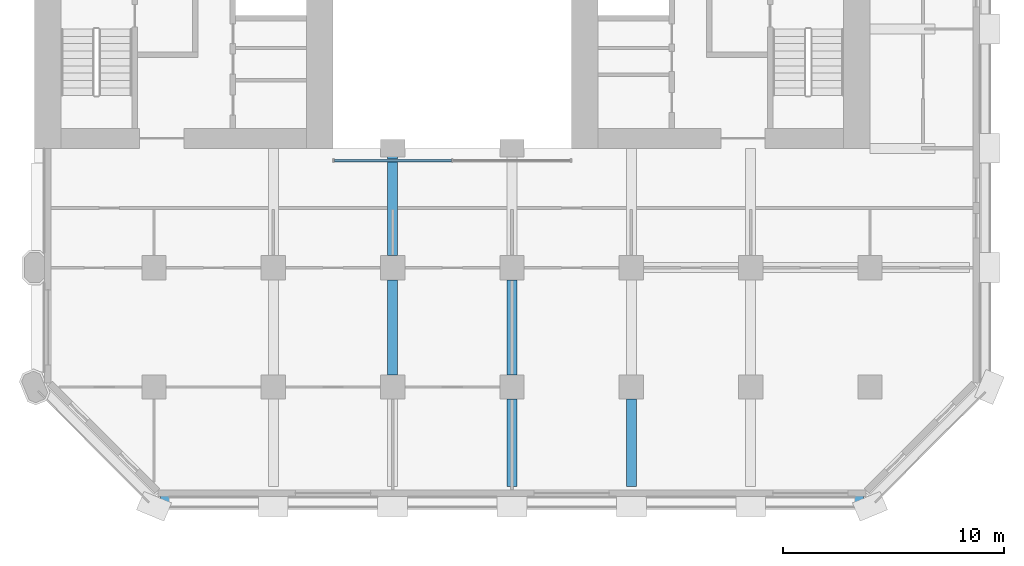
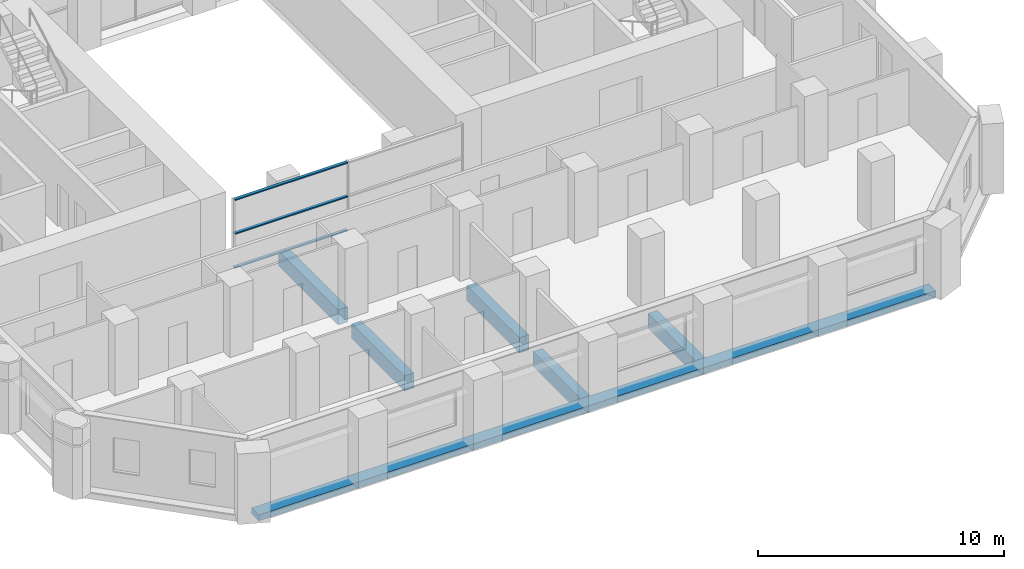
# One storey, part 3 of 13: 6 beams, 3 members, 1 element without a shape of its own.
"""IFC4 building model written with IfcOpenShell, lengths in metres."""

from ifc_helpers import new_model, si_unit, direction, frame, origin, origin_2d, place, context, subcontext, project, spatial, rectangle, extrude, material, material_profile, profile_set, type_object, element, aggregate, save


model = new_model("IFC4")

# Units and contexts
model_context = context("Model", 3, precision=1e-05, world=origin(), true_north=direction((0.0, 1.0)))
body_context = subcontext(model_context, "Body", "Model", "MODEL_VIEW")
ifc_project = project(units=[si_unit("LENGTHUNIT", "METRE"), si_unit("AREAUNIT", "SQUARE_METRE"), si_unit("VOLUMEUNIT", "CUBIC_METRE"), si_unit("PLANEANGLEUNIT", "RADIAN"), si_unit("MASSUNIT", "GRAM", prefix="KILO")], contexts=[model_context])

# Site, building, storey
site_placement = place(None, origin())
site = spatial("IfcSite", under=ifc_project, at=site_placement, CompositionType="ELEMENT")
building_placement = place(site_placement, origin())
building = spatial("IfcBuilding", under=site, at=building_placement, Name="Tabaq Tower and Sports Hall", CompositionType="ELEMENT")
storey_placement = place(building_placement, frame((0.0, 0.0, 45.0)))
storey = spatial("IfcBuildingStorey", under=building, at=storey_placement, Name="L09", CompositionType="ELEMENT", Elevation=45.0)

# Curtain wall, members
ifc_material_1 = material(Name="Aluminium alloy 6063-T6 framed glazing", Category="aluminium")
curtain_wall_type = type_object("IfcCurtainWallType", Name="CW1 curtain wall", PredefinedType="USERDEFINED", material=ifc_material_1)
curtain_wall_placement = place(storey_placement, origin())
curtain_wall = element("IfcCurtainWall", 1, at=curtain_wall_placement, inside=storey, type_object=curtain_wall_type, Name="Atrium glazing L09 S", ObjectType="ATRIUM ENCLOSURE", PredefinedType="USERDEFINED")
ifc_material_2 = material(Name="Aluminium alloy 6063-T6", Category="aluminium")
ifc_material_profile_1 = material_profile(ifc_material_2, rectangle(XDim=0.139892578125, YDim=0.06005859375, at=origin_2d()), Name="TRANSOM 140x60")
ifc_profile_set_1 = profile_set([ifc_material_profile_1], Name="Aluminium alloy 6063-T6")
member_type = type_object("IfcMemberType", Name="CW1 transom 140x60", PredefinedType="USERDEFINED", material=ifc_profile_set_1)
member_1_placement = place(storey_placement, frame((18.9599609375, 15.64990234375, 0.070068359375), z_axis=(1.0, 0.0, 0.0), x_axis=(0.0, 1.0, 0.0)))
member_1 = element("IfcMember", 2, at=member_1_placement, type_object=member_type, Name="CW1 transom 1.1", ObjectType="TRANSOM", PredefinedType="USERDEFINED", context=body_context, shape_type="SweptSolid", body=[
    extrude(rectangle(XDim=0.139892578125, YDim=0.06005859375, at=origin_2d()), origin(), (0.0, 0.0, 1.0), 5.31005859375),
])
member_2_placement = place(storey_placement, frame((18.9599609375, 15.64990234375, 1.75), z_axis=(1.0, 0.0, 0.0), x_axis=(0.0, 1.0, 0.0)))
member_2 = element("IfcMember", 3, at=member_2_placement, type_object=member_type, Name="CW1 transom 1.2", ObjectType="TRANSOM", PredefinedType="USERDEFINED", context=body_context, shape_type="SweptSolid", body=[
    extrude(rectangle(XDim=0.139892578125, YDim=0.06005859375, at=origin_2d()), origin(), (0.0, 0.0, 1.0), 5.31005859375),
])
member_3_placement = place(storey_placement, frame((18.9599609375, 15.64990234375, 3.429931640625), z_axis=(1.0, 0.0, 0.0), x_axis=(0.0, 1.0, 0.0)))
member_3 = element("IfcMember", 4, at=member_3_placement, type_object=member_type, Name="CW1 transom 1.3", ObjectType="TRANSOM", PredefinedType="USERDEFINED", context=body_context, shape_type="SweptSolid", body=[
    extrude(rectangle(XDim=0.139892578125, YDim=0.06005859375, at=origin_2d()), origin(), (0.0, 0.0, 1.0), 5.31005859375),
])
aggregate(curtain_wall, [member_1, member_2, member_3])

# Beams
ifc_material_3 = material(Name="Concrete C40/50", Category="concrete")
ifc_material_profile_2 = material_profile(ifc_material_3, rectangle(XDim=0.449951171875, YDim=0.75, at=origin_2d()), Name="CB 450x750")
ifc_profile_set_2 = profile_set([ifc_material_profile_2], Name="Concrete C40/50")
beam_type_1 = type_object("IfcBeamType", Name="PT CANTILEVER BEAM CB 450x750 C40/50", PredefinedType="BEAM", material=ifc_profile_set_2)
beam_1_placement = place(storey_placement, frame((21.60009765625, 5.949951171875, -0.675048828125), z_axis=(0.0, 1.0, 0.0), x_axis=(-1.0, 0.0, 0.0)))
element("IfcBeam", 5, at=beam_1_placement, inside=storey, type_object=beam_type_1, Name="Cantilever Beam L09 S4 span 2", PredefinedType="BEAM", context=body_context, shape_type="SweptSolid", body=[
    extrude(rectangle(XDim=0.449951171875, YDim=0.75, at=origin_2d()), origin(), (0.0, 0.0, 1.0), 4.300048828125),
])
beam_2_placement = place(storey_placement, frame((21.60009765625, 11.35009765625, -0.675048828125), z_axis=(0.0, 1.0, 0.0), x_axis=(-1.0, 0.0, 0.0)))
element("IfcBeam", 6, at=beam_2_placement, inside=storey, type_object=beam_type_1, Name="Cantilever Beam L09 S4 span 3", PredefinedType="BEAM", context=body_context, shape_type="SweptSolid", body=[
    extrude(rectangle(XDim=0.449951171875, YDim=0.75, at=origin_2d()), origin(), (0.0, 0.0, 1.0), 4.849853515625),
])
beam_3_placement = place(storey_placement, frame((27.0, 0.89990234375, -0.675048828125), z_axis=(0.0, 1.0, 0.0), x_axis=(-1.0, 0.0, 0.0)))
element("IfcBeam", 7, at=beam_3_placement, inside=storey, type_object=beam_type_1, Name="Cantilever Beam L09 S5 span 1", PredefinedType="BEAM", context=body_context, shape_type="SweptSolid", body=[
    extrude(rectangle(XDim=0.449951171875, YDim=0.75, at=origin_2d()), origin(), (0.0, 0.0, 1.0), 3.9501953125),
])
beam_4_placement = place(storey_placement, frame((27.0, 5.949951171875, -0.675048828125), z_axis=(0.0, 1.0, 0.0), x_axis=(-1.0, 0.0, 0.0)))
element("IfcBeam", 8, at=beam_4_placement, inside=storey, type_object=beam_type_1, Name="Cantilever Beam L09 S5 span 2", PredefinedType="BEAM", context=body_context, shape_type="SweptSolid", body=[
    extrude(rectangle(XDim=0.449951171875, YDim=0.75, at=origin_2d()), origin(), (0.0, 0.0, 1.0), 4.300048828125),
])
beam_5_placement = place(storey_placement, frame((32.39990234375, 0.89990234375, -0.675048828125), z_axis=(0.0, 1.0, 0.0), x_axis=(-1.0, 0.0, 0.0)))
element("IfcBeam", 9, at=beam_5_placement, inside=storey, type_object=beam_type_1, Name="Cantilever Beam L09 S6 span 1", PredefinedType="BEAM", context=body_context, shape_type="SweptSolid", body=[
    extrude(rectangle(XDim=0.449951171875, YDim=0.75, at=origin_2d()), origin(), (0.0, 0.0, 1.0), 3.9501953125),
])
ifc_material_4 = material(Name="Concrete C40/50", Category="concrete")
ifc_material_profile_3 = material_profile(ifc_material_4, rectangle(XDim=0.60009765625, YDim=0.300048828125, at=origin_2d()), Name="EB 600x300")
ifc_profile_set_3 = profile_set([ifc_material_profile_3], Name="Concrete C40/50")
beam_type_2 = type_object("IfcBeamType", Name="PT EDGE BEAM EB 600x300 C40/50", PredefinedType="SPANDREL", material=ifc_profile_set_3)
beam_6_placement = place(storey_placement, frame((11.0986328125, 0.300048828125, -0.14990234375), z_axis=(1.0, 0.0, 0.0), x_axis=(0.0, 1.0, 0.0)))
element("IfcBeam", 10, at=beam_6_placement, inside=storey, type_object=beam_type_2, Name="Edge Beam L09 1", PredefinedType="SPANDREL", context=body_context, shape_type="SweptSolid", body=[
    extrude(rectangle(XDim=0.60009765625, YDim=0.300048828125, at=origin_2d()), origin(), (0.0, 0.0, 1.0), 31.802734375),
])

save(model, "model.ifc")
